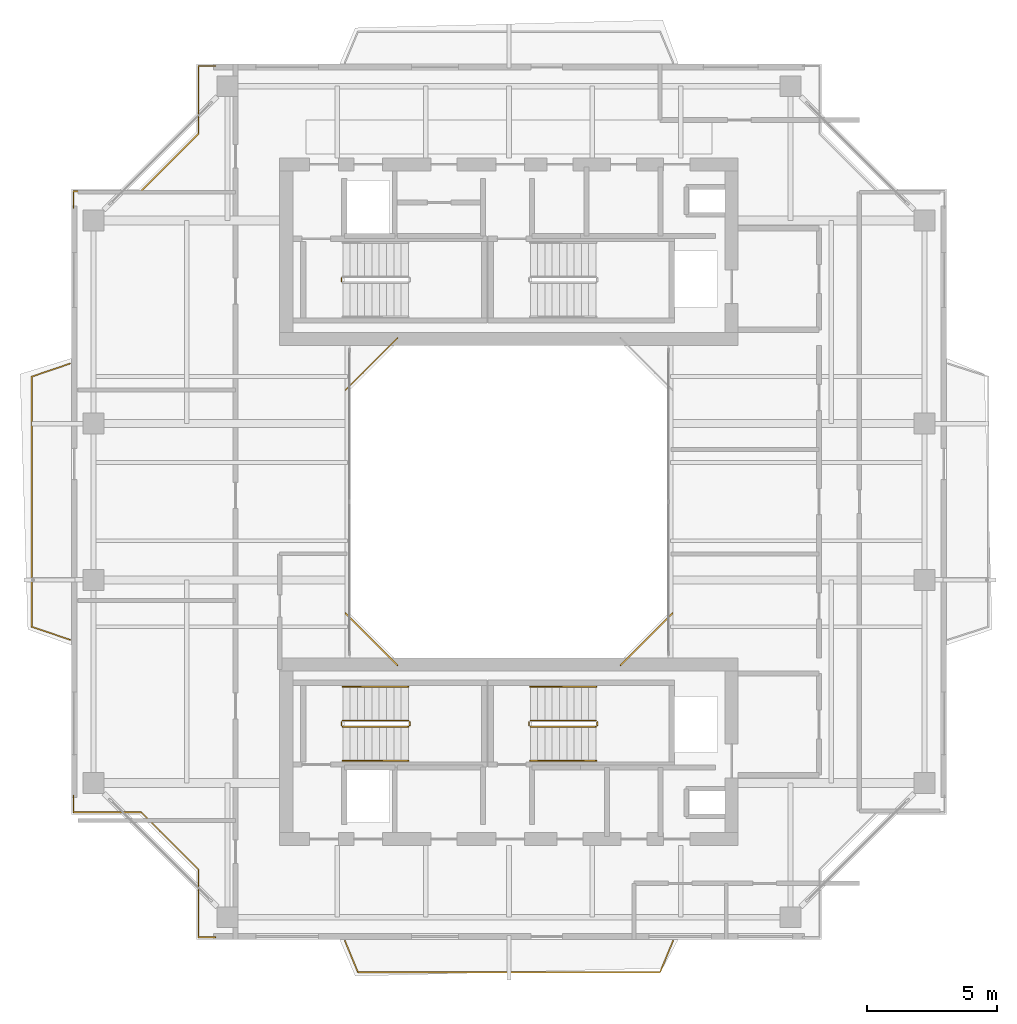
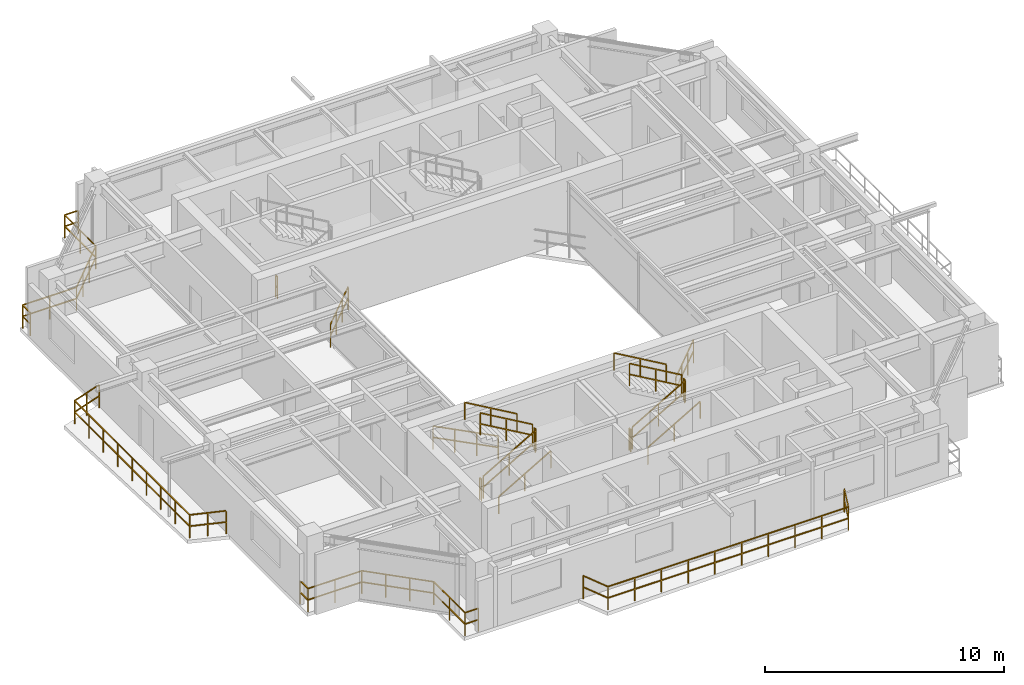
# One storey, part 14 of 15: 20 railings.
"""IFC4 building model written with IfcOpenShell, lengths in metres."""

from ifc_helpers import new_model, si_unit, direction, frame, origin, origin_2d, place, context, subcontext, project, spatial, rectangle, extrude, material, type_object, element, save


model = new_model("IFC4")

# Units and contexts
model_context = context("Model", 3, precision=1e-05, world=origin(), true_north=direction((0.0, 1.0)))
body_context = subcontext(model_context, "Body", "Model", "MODEL_VIEW")
ifc_project = project(units=[si_unit("LENGTHUNIT", "METRE"), si_unit("AREAUNIT", "SQUARE_METRE"), si_unit("VOLUMEUNIT", "CUBIC_METRE"), si_unit("PLANEANGLEUNIT", "RADIAN"), si_unit("MASSUNIT", "GRAM", prefix="KILO"), si_unit("THERMODYNAMICTEMPERATUREUNIT", "KELVIN"), si_unit("POWERUNIT", "WATT")], contexts=[model_context])

# Site, building, storey
site_placement = place(None, origin())
site = spatial("IfcSite", under=ifc_project, at=site_placement, CompositionType="ELEMENT")
building_placement = place(site_placement, origin())
building = spatial("IfcBuilding", under=site, at=building_placement, Name="Qiaomeng Ring Towers", CompositionType="ELEMENT")
storey_placement = place(building_placement, frame((0.0, 0.0, 219.75)))
storey = spatial("IfcBuildingStorey", under=building, at=storey_placement, Name="L64", CompositionType="ELEMENT", Elevation=219.75)

# Railings
ifc_material_1 = material(Name="Low-E pale-green laminated safety glass", Category="glass")
railing_type_1 = type_object("IfcRailingType", Name="ARC-RL-BAL1", PredefinedType="BALUSTRADE", material=ifc_material_1)
railing_1_placement = place(storey_placement, frame((23.280029296875, 16.719970703125, 0.0)))
element("IfcRailing", 1, at=railing_1_placement, inside=storey, type_object=railing_type_1, Name="L64 Balustrade ARC-BAL-WELL1-L64-1", PredefinedType="BALUSTRADE", context=body_context, shape_type="SweptSolid", body=[
    extrude(rectangle(XDim=0.048095703125, YDim=0.048095703125, at=origin_2d()), frame((0.0, 0.0, 1.17578125), z_axis=(0.707106781187, 0.707106781187, 0.0), x_axis=(-0.707106781187, 0.707106781187, 0.0)), (0.0, 0.0, 1.0), 2.828369140625),
    extrude(rectangle(XDim=0.048095703125, YDim=0.048095703125, at=origin_2d()), frame((0.0, 0.0, 0.60009765625), z_axis=(0.707106781187, 0.707106781187, 0.0), x_axis=(-0.707106781187, 0.707106781187, 0.0)), (0.0, 0.0, 1.0), 2.828369140625),
    extrude(rectangle(XDim=0.0419921875, YDim=0.0419921875, at=origin_2d()), origin(), (0.0, 0.0, 1.0), 1.15185546875),
    extrude(rectangle(XDim=0.0419921875, YDim=0.0419921875, at=origin_2d()), frame((0.666748046875, 0.666748046875, 0.0)), (0.0, 0.0, 1.0), 1.15185546875),
    extrude(rectangle(XDim=0.0419921875, YDim=0.0419921875, at=origin_2d()), frame((1.333251953125, 1.333251953125, 0.0)), (0.0, 0.0, 1.0), 1.15185546875),
    extrude(rectangle(XDim=0.0419921875, YDim=0.0419921875, at=origin_2d()), frame((2.0, 2.0, 0.0)), (0.0, 0.0, 1.0), 1.15185546875),
])
railing_2_placement = place(storey_placement, frame((14.719970703125, 29.280029296875, 0.0)))
element("IfcRailing", 2, at=railing_2_placement, inside=storey, type_object=railing_type_1, Name="L64 Balustrade ARC-BAL-WELL1-L64-3", PredefinedType="BALUSTRADE", context=body_context, shape_type="SweptSolid", body=[
    extrude(rectangle(XDim=0.048095703125, YDim=0.048095703125, at=origin_2d()), frame((0.0, 0.0, 1.17578125), z_axis=(-0.707106781187, -0.707106781187, 0.0), x_axis=(0.707106781187, -0.707106781187, 0.0)), (0.0, 0.0, 1.0), 2.828369140625),
    extrude(rectangle(XDim=0.048095703125, YDim=0.048095703125, at=origin_2d()), frame((0.0, 0.0, 0.60009765625), z_axis=(-0.707106781187, -0.707106781187, 0.0), x_axis=(0.707106781187, -0.707106781187, 0.0)), (0.0, 0.0, 1.0), 2.828369140625),
    extrude(rectangle(XDim=0.0419921875, YDim=0.0419921875, at=origin_2d()), origin(), (0.0, 0.0, 1.0), 1.15185546875),
    extrude(rectangle(XDim=0.0419921875, YDim=0.0419921875, at=origin_2d()), frame((-0.666748046875, -0.666748046875, 0.0)), (0.0, 0.0, 1.0), 1.15185546875),
    extrude(rectangle(XDim=0.0419921875, YDim=0.0419921875, at=origin_2d()), frame((-1.333251953125, -1.333251953125, 0.0)), (0.0, 0.0, 1.0), 1.15185546875),
    extrude(rectangle(XDim=0.0419921875, YDim=0.0419921875, at=origin_2d()), frame((-2.0, -2.0, 0.0)), (0.0, 0.0, 1.0), 1.15185546875),
])
railing_3_placement = place(storey_placement, frame((12.719970703125, 18.719970703125, 0.0)))
element("IfcRailing", 3, at=railing_3_placement, inside=storey, type_object=railing_type_1, Name="L64 Balustrade ARC-BAL-WELL1-L64-4", PredefinedType="BALUSTRADE", context=body_context, shape_type="SweptSolid", body=[
    extrude(rectangle(XDim=0.048095703125, YDim=0.048095703125, at=origin_2d()), frame((0.0, 0.0, 1.17578125), z_axis=(0.707106781187, -0.707106781187, 0.0), x_axis=(0.707106781187, 0.707106781187, 0.0)), (0.0, 0.0, 1.0), 2.828369140625),
    extrude(rectangle(XDim=0.048095703125, YDim=0.048095703125, at=origin_2d()), frame((0.0, 0.0, 0.60009765625), z_axis=(0.707106781187, -0.707106781187, 0.0), x_axis=(0.707106781187, 0.707106781187, 0.0)), (0.0, 0.0, 1.0), 2.828369140625),
    extrude(rectangle(XDim=0.0419921875, YDim=0.0419921875, at=origin_2d()), origin(), (0.0, 0.0, 1.0), 1.15185546875),
    extrude(rectangle(XDim=0.0419921875, YDim=0.0419921875, at=origin_2d()), frame((0.666748046875, -0.666748046875, 0.0)), (0.0, 0.0, 1.0), 1.15185546875),
    extrude(rectangle(XDim=0.0419921875, YDim=0.0419921875, at=origin_2d()), frame((1.333251953125, -1.333251953125, 0.0)), (0.0, 0.0, 1.0), 1.15185546875),
    extrude(rectangle(XDim=0.0419921875, YDim=0.0419921875, at=origin_2d()), frame((2.0, -2.0, 0.0)), (0.0, 0.0, 1.0), 1.15185546875),
])
railing_4_placement = place(storey_placement, frame((7.72998046875, 39.719970703125, 0.0)))
element("IfcRailing", 4, at=railing_4_placement, inside=storey, type_object=railing_type_1, Name="L64 Balustrade ARC-BAL-NOTCH1-L64-NW", PredefinedType="BALUSTRADE", context=body_context, shape_type="SweptSolid", body=[
    extrude(rectangle(XDim=0.048095703125, YDim=0.048095703125, at=origin_2d()), frame((0.0, 0.0, 1.17578125), z_axis=(-1.0, 0.0, 0.0), x_axis=(0.0, -1.0, 0.0)), (0.0, 0.0, 1.0), 0.64990234375),
    extrude(rectangle(XDim=0.048095703125, YDim=0.048095703125, at=origin_2d()), frame((0.0, 0.0, 0.60009765625), z_axis=(-1.0, 0.0, 0.0), x_axis=(0.0, -1.0, 0.0)), (0.0, 0.0, 1.0), 0.64990234375),
    extrude(rectangle(XDim=0.048095703125, YDim=0.048095703125, at=origin_2d()), frame((-0.64990234375, 0.0, 1.17578125), z_axis=(0.0, -1.0, 0.0), x_axis=(1.0, 0.0, 0.0)), (0.0, 0.0, 1.0), 2.599853515625),
    extrude(rectangle(XDim=0.048095703125, YDim=0.048095703125, at=origin_2d()), frame((-0.64990234375, 0.0, 0.60009765625), z_axis=(0.0, -1.0, 0.0), x_axis=(1.0, 0.0, 0.0)), (0.0, 0.0, 1.0), 2.599853515625),
    extrude(rectangle(XDim=0.048095703125, YDim=0.048095703125, at=origin_2d()), frame((-0.64990234375, -2.599853515625, 1.17578125), z_axis=(-0.707106781187, -0.707106781187, 0.0), x_axis=(0.707106781187, -0.707106781187, 0.0)), (0.0, 0.0, 1.0), 3.111572265625),
    extrude(rectangle(XDim=0.048095703125, YDim=0.048095703125, at=origin_2d()), frame((-0.64990234375, -2.599853515625, 0.60009765625), z_axis=(-0.707106781187, -0.707106781187, 0.0), x_axis=(0.707106781187, -0.707106781187, 0.0)), (0.0, 0.0, 1.0), 3.111572265625),
    extrude(rectangle(XDim=0.048095703125, YDim=0.048095703125, at=origin_2d()), frame((-2.85009765625, -4.800048828125, 1.17578125), z_axis=(-1.0, 0.0, 0.0), x_axis=(0.0, -1.0, 0.0)), (0.0, 0.0, 1.0), 2.599853515625),
    extrude(rectangle(XDim=0.048095703125, YDim=0.048095703125, at=origin_2d()), frame((-2.85009765625, -4.800048828125, 0.60009765625), z_axis=(-1.0, 0.0, 0.0), x_axis=(0.0, -1.0, 0.0)), (0.0, 0.0, 1.0), 2.599853515625),
    extrude(rectangle(XDim=0.048095703125, YDim=0.048095703125, at=origin_2d()), frame((-5.449951171875, -4.800048828125, 1.17578125), z_axis=(0.0, -1.0, 0.0), x_axis=(1.0, 0.0, 0.0)), (0.0, 0.0, 1.0), 0.64990234375),
    extrude(rectangle(XDim=0.048095703125, YDim=0.048095703125, at=origin_2d()), frame((-5.449951171875, -4.800048828125, 0.60009765625), z_axis=(0.0, -1.0, 0.0), x_axis=(1.0, 0.0, 0.0)), (0.0, 0.0, 1.0), 0.64990234375),
    extrude(rectangle(XDim=0.0419921875, YDim=0.0419921875, at=origin_2d()), origin(), (0.0, 0.0, 1.0), 1.15185546875),
    extrude(rectangle(XDim=0.0419921875, YDim=0.0419921875, at=origin_2d()), frame((-0.64990234375, 0.0, 0.0)), (0.0, 0.0, 1.0), 1.15185546875),
    extrude(rectangle(XDim=0.0419921875, YDim=0.0419921875, at=origin_2d()), frame((-0.64990234375, -1.2998046875, 0.0)), (0.0, 0.0, 1.0), 1.15185546875),
    extrude(rectangle(XDim=0.0419921875, YDim=0.0419921875, at=origin_2d()), frame((-0.64990234375, -2.599853515625, 0.0)), (0.0, 0.0, 1.0), 1.15185546875),
    extrude(rectangle(XDim=0.0419921875, YDim=0.0419921875, at=origin_2d()), frame((-1.38330078125, -3.333251953125, 0.0)), (0.0, 0.0, 1.0), 1.15185546875),
    extrude(rectangle(XDim=0.0419921875, YDim=0.0419921875, at=origin_2d()), frame((-2.11669921875, -4.066650390625, 0.0)), (0.0, 0.0, 1.0), 1.15185546875),
    extrude(rectangle(XDim=0.0419921875, YDim=0.0419921875, at=origin_2d()), frame((-2.85009765625, -4.800048828125, 0.0)), (0.0, 0.0, 1.0), 1.15185546875),
    extrude(rectangle(XDim=0.0419921875, YDim=0.0419921875, at=origin_2d()), frame((-4.14990234375, -4.800048828125, 0.0)), (0.0, 0.0, 1.0), 1.15185546875),
    extrude(rectangle(XDim=0.0419921875, YDim=0.0419921875, at=origin_2d()), frame((-5.449951171875, -4.800048828125, 0.0)), (0.0, 0.0, 1.0), 1.15185546875),
    extrude(rectangle(XDim=0.0419921875, YDim=0.0419921875, at=origin_2d()), frame((-5.449951171875, -5.449951171875, 0.0)), (0.0, 0.0, 1.0), 1.15185546875),
])
railing_5_placement = place(storey_placement, frame((2.280029296875, 11.72998046875, 0.0)))
element("IfcRailing", 5, at=railing_5_placement, inside=storey, type_object=railing_type_1, Name="L64 Balustrade ARC-BAL-NOTCH1-L64-SW", PredefinedType="BALUSTRADE", context=body_context, shape_type="SweptSolid", body=[
    extrude(rectangle(XDim=0.048095703125, YDim=0.048095703125, at=origin_2d()), frame((0.0, 0.0, 1.17578125), z_axis=(0.0, -1.0, 0.0), x_axis=(1.0, 0.0, 0.0)), (0.0, 0.0, 1.0), 0.64990234375),
    extrude(rectangle(XDim=0.048095703125, YDim=0.048095703125, at=origin_2d()), frame((0.0, 0.0, 0.60009765625), z_axis=(0.0, -1.0, 0.0), x_axis=(1.0, 0.0, 0.0)), (0.0, 0.0, 1.0), 0.64990234375),
    extrude(rectangle(XDim=0.048095703125, YDim=0.048095703125, at=origin_2d()), frame((0.0, -0.64990234375, 1.17578125), z_axis=(1.0, 0.0, 0.0), x_axis=(0.0, 1.0, 0.0)), (0.0, 0.0, 1.0), 2.599853515625),
    extrude(rectangle(XDim=0.048095703125, YDim=0.048095703125, at=origin_2d()), frame((0.0, -0.64990234375, 0.60009765625), z_axis=(1.0, 0.0, 0.0), x_axis=(0.0, 1.0, 0.0)), (0.0, 0.0, 1.0), 2.599853515625),
    extrude(rectangle(XDim=0.048095703125, YDim=0.048095703125, at=origin_2d()), frame((2.599853515625, -0.64990234375, 1.17578125), z_axis=(0.707106781187, -0.707106781187, 0.0), x_axis=(0.707106781187, 0.707106781187, 0.0)), (0.0, 0.0, 1.0), 3.111572265625),
    extrude(rectangle(XDim=0.048095703125, YDim=0.048095703125, at=origin_2d()), frame((2.599853515625, -0.64990234375, 0.60009765625), z_axis=(0.707106781187, -0.707106781187, 0.0), x_axis=(0.707106781187, 0.707106781187, 0.0)), (0.0, 0.0, 1.0), 3.111572265625),
    extrude(rectangle(XDim=0.048095703125, YDim=0.048095703125, at=origin_2d()), frame((4.800048828125, -2.85009765625, 1.17578125), z_axis=(0.0, -1.0, 0.0), x_axis=(1.0, 0.0, 0.0)), (0.0, 0.0, 1.0), 2.599853515625),
    extrude(rectangle(XDim=0.048095703125, YDim=0.048095703125, at=origin_2d()), frame((4.800048828125, -2.85009765625, 0.60009765625), z_axis=(0.0, -1.0, 0.0), x_axis=(1.0, 0.0, 0.0)), (0.0, 0.0, 1.0), 2.599853515625),
    extrude(rectangle(XDim=0.048095703125, YDim=0.048095703125, at=origin_2d()), frame((4.800048828125, -5.449951171875, 1.17578125), z_axis=(1.0, 0.0, 0.0), x_axis=(0.0, 1.0, 0.0)), (0.0, 0.0, 1.0), 0.64990234375),
    extrude(rectangle(XDim=0.048095703125, YDim=0.048095703125, at=origin_2d()), frame((4.800048828125, -5.449951171875, 0.60009765625), z_axis=(1.0, 0.0, 0.0), x_axis=(0.0, 1.0, 0.0)), (0.0, 0.0, 1.0), 0.64990234375),
    extrude(rectangle(XDim=0.0419921875, YDim=0.0419921875, at=origin_2d()), origin(), (0.0, 0.0, 1.0), 1.15185546875),
    extrude(rectangle(XDim=0.0419921875, YDim=0.0419921875, at=origin_2d()), frame((0.0, -0.64990234375, 0.0)), (0.0, 0.0, 1.0), 1.15185546875),
    extrude(rectangle(XDim=0.0419921875, YDim=0.0419921875, at=origin_2d()), frame((1.2998046875, -0.64990234375, 0.0)), (0.0, 0.0, 1.0), 1.15185546875),
    extrude(rectangle(XDim=0.0419921875, YDim=0.0419921875, at=origin_2d()), frame((2.599853515625, -0.64990234375, 0.0)), (0.0, 0.0, 1.0), 1.15185546875),
    extrude(rectangle(XDim=0.0419921875, YDim=0.0419921875, at=origin_2d()), frame((3.333251953125, -1.38330078125, 0.0)), (0.0, 0.0, 1.0), 1.15185546875),
    extrude(rectangle(XDim=0.0419921875, YDim=0.0419921875, at=origin_2d()), frame((4.066650390625, -2.11669921875, 0.0)), (0.0, 0.0, 1.0), 1.15185546875),
    extrude(rectangle(XDim=0.0419921875, YDim=0.0419921875, at=origin_2d()), frame((4.800048828125, -2.85009765625, 0.0)), (0.0, 0.0, 1.0), 1.15185546875),
    extrude(rectangle(XDim=0.0419921875, YDim=0.0419921875, at=origin_2d()), frame((4.800048828125, -4.14990234375, 0.0)), (0.0, 0.0, 1.0), 1.15185546875),
    extrude(rectangle(XDim=0.0419921875, YDim=0.0419921875, at=origin_2d()), frame((4.800048828125, -5.449951171875, 0.0)), (0.0, 0.0, 1.0), 1.15185546875),
    extrude(rectangle(XDim=0.0419921875, YDim=0.0419921875, at=origin_2d()), frame((5.449951171875, -5.449951171875, 0.0)), (0.0, 0.0, 1.0), 1.15185546875),
])
railing_6_placement = place(storey_placement, frame((12.699951171875, 6.14990234375, 0.0)))
element("IfcRailing", 6, at=railing_6_placement, inside=storey, type_object=railing_type_1, Name="L64 Balustrade ARC-BAL-L64-T1-S", PredefinedType="BALUSTRADE", context=body_context, shape_type="SweptSolid", body=[
    extrude(rectangle(XDim=0.048095703125, YDim=0.048095703125, at=origin_2d()), frame((0.0, 0.0, 1.17578125), z_axis=(0.381912525892, -0.924198475743, 0.0), x_axis=(0.924198475743, 0.381912525892, 0.0)), (0.0, 0.0, 1.0), 1.30908203125),
    extrude(rectangle(XDim=0.048095703125, YDim=0.048095703125, at=origin_2d()), frame((0.0, 0.0, 0.60009765625), z_axis=(0.381912525892, -0.924198475743, 0.0), x_axis=(0.924198475743, 0.381912525892, 0.0)), (0.0, 0.0, 1.0), 1.30908203125),
    extrude(rectangle(XDim=0.048095703125, YDim=0.048095703125, at=origin_2d()), frame((0.5, -1.2099609375, 1.17578125), z_axis=(1.0, 0.0, 0.0), x_axis=(0.0, 1.0, 0.0)), (0.0, 0.0, 1.0), 11.60009765625),
    extrude(rectangle(XDim=0.048095703125, YDim=0.048095703125, at=origin_2d()), frame((0.5, -1.2099609375, 0.60009765625), z_axis=(1.0, 0.0, 0.0), x_axis=(0.0, 1.0, 0.0)), (0.0, 0.0, 1.0), 11.60009765625),
    extrude(rectangle(XDim=0.048095703125, YDim=0.048095703125, at=origin_2d()), frame((12.10009765625, -1.2099609375, 1.17578125), z_axis=(0.381912525892, 0.924198475743, 0.0), x_axis=(-0.924198475743, 0.381912525892, 0.0)), (0.0, 0.0, 1.0), 1.30908203125),
    extrude(rectangle(XDim=0.048095703125, YDim=0.048095703125, at=origin_2d()), frame((12.10009765625, -1.2099609375, 0.60009765625), z_axis=(0.381912525892, 0.924198475743, 0.0), x_axis=(-0.924198475743, 0.381912525892, 0.0)), (0.0, 0.0, 1.0), 1.30908203125),
    extrude(rectangle(XDim=0.0419921875, YDim=0.0419921875, at=origin_2d()), origin(), (0.0, 0.0, 1.0), 1.15185546875),
    extrude(rectangle(XDim=0.0419921875, YDim=0.0419921875, at=origin_2d()), frame((0.5, -1.2099609375, 0.0)), (0.0, 0.0, 1.0), 1.15185546875),
    extrude(rectangle(XDim=0.0419921875, YDim=0.0419921875, at=origin_2d()), frame((1.788818359375, -1.2099609375, 0.0)), (0.0, 0.0, 1.0), 1.15185546875),
    extrude(rectangle(XDim=0.0419921875, YDim=0.0419921875, at=origin_2d()), frame((3.077880859375, -1.2099609375, 0.0)), (0.0, 0.0, 1.0), 1.15185546875),
    extrude(rectangle(XDim=0.0419921875, YDim=0.0419921875, at=origin_2d()), frame((4.36669921875, -1.2099609375, 0.0)), (0.0, 0.0, 1.0), 1.15185546875),
    extrude(rectangle(XDim=0.0419921875, YDim=0.0419921875, at=origin_2d()), frame((5.655517578125, -1.2099609375, 0.0)), (0.0, 0.0, 1.0), 1.15185546875),
    extrude(rectangle(XDim=0.0419921875, YDim=0.0419921875, at=origin_2d()), frame((6.944580078125, -1.2099609375, 0.0)), (0.0, 0.0, 1.0), 1.15185546875),
    extrude(rectangle(XDim=0.0419921875, YDim=0.0419921875, at=origin_2d()), frame((8.2333984375, -1.2099609375, 0.0)), (0.0, 0.0, 1.0), 1.15185546875),
    extrude(rectangle(XDim=0.0419921875, YDim=0.0419921875, at=origin_2d()), frame((9.522216796875, -1.2099609375, 0.0)), (0.0, 0.0, 1.0), 1.15185546875),
    extrude(rectangle(XDim=0.0419921875, YDim=0.0419921875, at=origin_2d()), frame((10.811279296875, -1.2099609375, 0.0)), (0.0, 0.0, 1.0), 1.15185546875),
    extrude(rectangle(XDim=0.0419921875, YDim=0.0419921875, at=origin_2d()), frame((12.10009765625, -1.2099609375, 0.0)), (0.0, 0.0, 1.0), 1.15185546875),
    extrude(rectangle(XDim=0.0419921875, YDim=0.0419921875, at=origin_2d()), frame((12.60009765625, 0.0, 0.0)), (0.0, 0.0, 1.0), 1.15185546875),
])
railing_7_placement = place(storey_placement, frame((2.14990234375, 17.699951171875, 0.0)))
element("IfcRailing", 7, at=railing_7_placement, inside=storey, type_object=railing_type_1, Name="L64 Balustrade ARC-BAL-L64-T1-W", PredefinedType="BALUSTRADE", context=body_context, shape_type="SweptSolid", body=[
    extrude(rectangle(XDim=0.048095703125, YDim=0.048095703125, at=origin_2d()), frame((0.0, 0.0, 1.17578125), z_axis=(-0.946731524739, 0.322023943309, 0.0), x_axis=(-0.322023943309, -0.946731524739, 0.0)), (0.0, 0.0, 1.0), 1.552734375),
    extrude(rectangle(XDim=0.048095703125, YDim=0.048095703125, at=origin_2d()), frame((0.0, 0.0, 0.60009765625), z_axis=(-0.946731524739, 0.322023943309, 0.0), x_axis=(-0.322023943309, -0.946731524739, 0.0)), (0.0, 0.0, 1.0), 1.552734375),
    extrude(rectangle(XDim=0.048095703125, YDim=0.048095703125, at=origin_2d()), frame((-1.469970703125, 0.5, 1.17578125), z_axis=(0.0, 1.0, 0.0), x_axis=(-1.0, 0.0, 0.0)), (0.0, 0.0, 1.0), 9.60009765625),
    extrude(rectangle(XDim=0.048095703125, YDim=0.048095703125, at=origin_2d()), frame((-1.469970703125, 0.5, 0.60009765625), z_axis=(0.0, 1.0, 0.0), x_axis=(-1.0, 0.0, 0.0)), (0.0, 0.0, 1.0), 9.60009765625),
    extrude(rectangle(XDim=0.048095703125, YDim=0.048095703125, at=origin_2d()), frame((-1.469970703125, 10.10009765625, 1.17578125), z_axis=(0.946731524739, 0.322023943309, 0.0), x_axis=(-0.322023943309, 0.946731524739, 0.0)), (0.0, 0.0, 1.0), 1.552734375),
    extrude(rectangle(XDim=0.048095703125, YDim=0.048095703125, at=origin_2d()), frame((-1.469970703125, 10.10009765625, 0.60009765625), z_axis=(0.946731524739, 0.322023943309, 0.0), x_axis=(-0.322023943309, 0.946731524739, 0.0)), (0.0, 0.0, 1.0), 1.552734375),
    extrude(rectangle(XDim=0.0419921875, YDim=0.0419921875, at=origin_2d()), origin(), (0.0, 0.0, 1.0), 1.15185546875),
    extrude(rectangle(XDim=0.0419921875, YDim=0.0419921875, at=origin_2d()), frame((-0.73486328125, 0.25, 0.0)), (0.0, 0.0, 1.0), 1.15185546875),
    extrude(rectangle(XDim=0.0419921875, YDim=0.0419921875, at=origin_2d()), frame((-1.469970703125, 0.5, 0.0)), (0.0, 0.0, 1.0), 1.15185546875),
    extrude(rectangle(XDim=0.0419921875, YDim=0.0419921875, at=origin_2d()), frame((-1.469970703125, 1.699951171875, 0.0)), (0.0, 0.0, 1.0), 1.15185546875),
    extrude(rectangle(XDim=0.0419921875, YDim=0.0419921875, at=origin_2d()), frame((-1.469970703125, 2.89990234375, 0.0)), (0.0, 0.0, 1.0), 1.15185546875),
    extrude(rectangle(XDim=0.0419921875, YDim=0.0419921875, at=origin_2d()), frame((-1.469970703125, 4.10009765625, 0.0)), (0.0, 0.0, 1.0), 1.15185546875),
    extrude(rectangle(XDim=0.0419921875, YDim=0.0419921875, at=origin_2d()), frame((-1.469970703125, 5.300048828125, 0.0)), (0.0, 0.0, 1.0), 1.15185546875),
    extrude(rectangle(XDim=0.0419921875, YDim=0.0419921875, at=origin_2d()), frame((-1.469970703125, 6.5, 0.0)), (0.0, 0.0, 1.0), 1.15185546875),
    extrude(rectangle(XDim=0.0419921875, YDim=0.0419921875, at=origin_2d()), frame((-1.469970703125, 7.7001953125, 0.0)), (0.0, 0.0, 1.0), 1.15185546875),
    extrude(rectangle(XDim=0.0419921875, YDim=0.0419921875, at=origin_2d()), frame((-1.469970703125, 8.900146484375, 0.0)), (0.0, 0.0, 1.0), 1.15185546875),
    extrude(rectangle(XDim=0.0419921875, YDim=0.0419921875, at=origin_2d()), frame((-1.469970703125, 10.10009765625, 0.0)), (0.0, 0.0, 1.0), 1.15185546875),
    extrude(rectangle(XDim=0.0419921875, YDim=0.0419921875, at=origin_2d()), frame((-0.73486328125, 10.35009765625, 0.0)), (0.0, 0.0, 1.0), 1.15185546875),
    extrude(rectangle(XDim=0.0419921875, YDim=0.0419921875, at=origin_2d()), frame((0.0, 10.60009765625, 0.0)), (0.0, 0.0, 1.0), 1.15185546875),
])
ifc_material_2 = material(Name="Galvanised steel", Category="steel")
railing_type_2 = type_object("IfcRailingType", Name="ARC-RL-GUARD", PredefinedType="GUARDRAIL", material=ifc_material_2)
railing_8_placement = place(storey_placement, frame((12.570068359375, 31.449951171875, 0.0)))
element("IfcRailing", 8, at=railing_8_placement, inside=storey, type_object=railing_type_2, Name="L64 ST1 stair guard 4", PredefinedType="GUARDRAIL", context=body_context, shape_type="SweptSolid", body=[
    extrude(rectangle(XDim=0.048095703125, YDim=0.048095703125, at=origin_2d()), frame((0.0, 0.0, 1.1259765625), z_axis=(0.0, 1.0, 0.0), x_axis=(-1.0, 0.0, 0.0)), (0.0, 0.0, 1.0), 0.14013671875),
    extrude(rectangle(XDim=0.048095703125, YDim=0.048095703125, at=origin_2d()), frame((0.0, 0.0, 0.574951171875), z_axis=(0.0, 1.0, 0.0), x_axis=(-1.0, 0.0, 0.0)), (0.0, 0.0, 1.0), 0.14013671875),
    extrude(rectangle(XDim=0.0419921875, YDim=0.0419921875, at=origin_2d()), origin(), (0.0, 0.0, 1.0), 1.101806640625),
    extrude(rectangle(XDim=0.0419921875, YDim=0.0419921875, at=origin_2d()), frame((0.0, 0.14013671875, 0.0)), (0.0, 0.0, 1.0), 1.101806640625),
])
railing_9_placement = place(storey_placement, frame((12.6201171875, 14.360107421875, 0.16259765625)))
element("IfcRailing", 9, at=railing_9_placement, inside=storey, type_object=railing_type_2, Name="L64 ST3 stair guard 1", PredefinedType="GUARDRAIL", context=body_context, shape_type="SweptSolid", body=[
    extrude(rectangle(XDim=0.048095703125, YDim=0.048095703125, at=origin_2d()), frame((0.0, 0.0, 1.1259765625), z_axis=(0.864892226395, 0.0, 0.501957604506), x_axis=(0.0, 1.0, 0.0)), (0.0, 0.0, 1.0), 2.913330078125),
    extrude(rectangle(XDim=0.048095703125, YDim=0.048095703125, at=origin_2d()), frame((0.0, 0.0, 0.574951171875), z_axis=(0.864892226395, 0.0, 0.501957604506), x_axis=(0.0, 1.0, 0.0)), (0.0, 0.0, 1.0), 2.913330078125),
    extrude(rectangle(XDim=0.0419921875, YDim=0.0419921875, at=origin_2d()), origin(), (0.0, 0.0, 1.0), 1.101806640625),
    extrude(rectangle(XDim=0.0419921875, YDim=0.0419921875, at=origin_2d()), frame((1.259765625, 0.0, 0.731201171875)), (0.0, 0.0, 1.0), 1.101806640625),
    extrude(rectangle(XDim=0.0419921875, YDim=0.0419921875, at=origin_2d()), frame((2.519775390625, 0.0, 1.46240234375)), (0.0, 0.0, 1.0), 1.101806640625),
])
railing_10_placement = place(storey_placement, frame((15.18994140625, 14.409912109375, 1.625)))
element("IfcRailing", 10, at=railing_10_placement, inside=storey, type_object=railing_type_2, Name="L64 ST3 stair guard 2", PredefinedType="GUARDRAIL", context=body_context, shape_type="SweptSolid", body=[
    extrude(rectangle(XDim=0.048095703125, YDim=0.048095703125, at=origin_2d()), frame((0.0, 0.0, 1.1259765625), z_axis=(0.0, 1.0, 0.0), x_axis=(-1.0, 0.0, 0.0)), (0.0, 0.0, 1.0), 0.14013671875),
    extrude(rectangle(XDim=0.048095703125, YDim=0.048095703125, at=origin_2d()), frame((0.0, 0.0, 0.574951171875), z_axis=(0.0, 1.0, 0.0), x_axis=(-1.0, 0.0, 0.0)), (0.0, 0.0, 1.0), 0.14013671875),
    extrude(rectangle(XDim=0.0419921875, YDim=0.0419921875, at=origin_2d()), origin(), (0.0, 0.0, 1.0), 1.101806640625),
    extrude(rectangle(XDim=0.0419921875, YDim=0.0419921875, at=origin_2d()), frame((0.0, 0.14013671875, 0.0)), (0.0, 0.0, 1.0), 1.101806640625),
])
railing_11_placement = place(storey_placement, frame((15.139892578125, 14.60009765625, 1.78759765625)))
element("IfcRailing", 11, at=railing_11_placement, inside=storey, type_object=railing_type_2, Name="L64 ST3 stair guard 3", PredefinedType="GUARDRAIL", context=body_context, shape_type="SweptSolid", body=[
    extrude(rectangle(XDim=0.048095703125, YDim=0.048095703125, at=origin_2d()), frame((0.0, 0.0, 1.1259765625), z_axis=(-0.864892226395, 0.0, 0.501957604506), x_axis=(0.0, -1.0, 0.0)), (0.0, 0.0, 1.0), 2.913330078125),
    extrude(rectangle(XDim=0.048095703125, YDim=0.048095703125, at=origin_2d()), frame((0.0, 0.0, 0.574951171875), z_axis=(-0.864892226395, 0.0, 0.501957604506), x_axis=(0.0, -1.0, 0.0)), (0.0, 0.0, 1.0), 2.913330078125),
    extrude(rectangle(XDim=0.0419921875, YDim=0.0419921875, at=origin_2d()), origin(), (0.0, 0.0, 1.0), 1.101806640625),
    extrude(rectangle(XDim=0.0419921875, YDim=0.0419921875, at=origin_2d()), frame((-1.259765625, 0.0, 0.731201171875)), (0.0, 0.0, 1.0), 1.101806640625),
    extrude(rectangle(XDim=0.0419921875, YDim=0.0419921875, at=origin_2d()), frame((-2.519775390625, 0.0, 1.46240234375)), (0.0, 0.0, 1.0), 1.101806640625),
])
railing_12_placement = place(storey_placement, frame((12.570068359375, 14.409912109375, 0.0)))
element("IfcRailing", 12, at=railing_12_placement, inside=storey, type_object=railing_type_2, Name="L64 ST3 stair guard 4", PredefinedType="GUARDRAIL", context=body_context, shape_type="SweptSolid", body=[
    extrude(rectangle(XDim=0.048095703125, YDim=0.048095703125, at=origin_2d()), frame((0.0, 0.0, 1.1259765625), z_axis=(0.0, 1.0, 0.0), x_axis=(-1.0, 0.0, 0.0)), (0.0, 0.0, 1.0), 0.14013671875),
    extrude(rectangle(XDim=0.048095703125, YDim=0.048095703125, at=origin_2d()), frame((0.0, 0.0, 0.574951171875), z_axis=(0.0, 1.0, 0.0), x_axis=(-1.0, 0.0, 0.0)), (0.0, 0.0, 1.0), 0.14013671875),
    extrude(rectangle(XDim=0.0419921875, YDim=0.0419921875, at=origin_2d()), origin(), (0.0, 0.0, 1.0), 1.101806640625),
    extrude(rectangle(XDim=0.0419921875, YDim=0.0419921875, at=origin_2d()), frame((0.0, 0.14013671875, 0.0)), (0.0, 0.0, 1.0), 1.101806640625),
])
railing_13_placement = place(storey_placement, frame((19.820068359375, 14.360107421875, 0.16259765625)))
element("IfcRailing", 13, at=railing_13_placement, inside=storey, type_object=railing_type_2, Name="L64 ST4 stair guard 1", PredefinedType="GUARDRAIL", context=body_context, shape_type="SweptSolid", body=[
    extrude(rectangle(XDim=0.048095703125, YDim=0.048095703125, at=origin_2d()), frame((0.0, 0.0, 1.1259765625), z_axis=(0.864913338283, 0.0, 0.50192122615), x_axis=(0.0, 1.0, 0.0)), (0.0, 0.0, 1.0), 2.91357421875),
    extrude(rectangle(XDim=0.048095703125, YDim=0.048095703125, at=origin_2d()), frame((0.0, 0.0, 0.574951171875), z_axis=(0.864913338283, 0.0, 0.50192122615), x_axis=(0.0, 1.0, 0.0)), (0.0, 0.0, 1.0), 2.91357421875),
    extrude(rectangle(XDim=0.0419921875, YDim=0.0419921875, at=origin_2d()), origin(), (0.0, 0.0, 1.0), 1.101806640625),
    extrude(rectangle(XDim=0.0419921875, YDim=0.0419921875, at=origin_2d()), frame((1.260009765625, 0.0, 0.731201171875)), (0.0, 0.0, 1.0), 1.101806640625),
    extrude(rectangle(XDim=0.0419921875, YDim=0.0419921875, at=origin_2d()), frame((2.52001953125, 0.0, 1.46240234375)), (0.0, 0.0, 1.0), 1.101806640625),
])
railing_14_placement = place(storey_placement, frame((22.389892578125, 14.409912109375, 1.625)))
element("IfcRailing", 14, at=railing_14_placement, inside=storey, type_object=railing_type_2, Name="L64 ST4 stair guard 2", PredefinedType="GUARDRAIL", context=body_context, shape_type="SweptSolid", body=[
    extrude(rectangle(XDim=0.048095703125, YDim=0.048095703125, at=origin_2d()), frame((0.0, 0.0, 1.1259765625), z_axis=(0.0, 1.0, 0.0), x_axis=(-1.0, 0.0, 0.0)), (0.0, 0.0, 1.0), 0.14013671875),
    extrude(rectangle(XDim=0.048095703125, YDim=0.048095703125, at=origin_2d()), frame((0.0, 0.0, 0.574951171875), z_axis=(0.0, 1.0, 0.0), x_axis=(-1.0, 0.0, 0.0)), (0.0, 0.0, 1.0), 0.14013671875),
    extrude(rectangle(XDim=0.0419921875, YDim=0.0419921875, at=origin_2d()), origin(), (0.0, 0.0, 1.0), 1.101806640625),
    extrude(rectangle(XDim=0.0419921875, YDim=0.0419921875, at=origin_2d()), frame((0.0, 0.14013671875, 0.0)), (0.0, 0.0, 1.0), 1.101806640625),
])
railing_15_placement = place(storey_placement, frame((22.340087890625, 14.60009765625, 1.78759765625)))
element("IfcRailing", 15, at=railing_15_placement, inside=storey, type_object=railing_type_2, Name="L64 ST4 stair guard 3", PredefinedType="GUARDRAIL", context=body_context, shape_type="SweptSolid", body=[
    extrude(rectangle(XDim=0.048095703125, YDim=0.048095703125, at=origin_2d()), frame((0.0, 0.0, 1.1259765625), z_axis=(-0.864913338283, 0.0, 0.50192122615), x_axis=(0.0, -1.0, 0.0)), (0.0, 0.0, 1.0), 2.91357421875),
    extrude(rectangle(XDim=0.048095703125, YDim=0.048095703125, at=origin_2d()), frame((0.0, 0.0, 0.574951171875), z_axis=(-0.864913338283, 0.0, 0.50192122615), x_axis=(0.0, -1.0, 0.0)), (0.0, 0.0, 1.0), 2.91357421875),
    extrude(rectangle(XDim=0.0419921875, YDim=0.0419921875, at=origin_2d()), origin(), (0.0, 0.0, 1.0), 1.101806640625),
    extrude(rectangle(XDim=0.0419921875, YDim=0.0419921875, at=origin_2d()), frame((-1.260009765625, 0.0, 0.731201171875)), (0.0, 0.0, 1.0), 1.101806640625),
    extrude(rectangle(XDim=0.0419921875, YDim=0.0419921875, at=origin_2d()), frame((-2.52001953125, 0.0, 1.46240234375)), (0.0, 0.0, 1.0), 1.101806640625),
])
railing_16_placement = place(storey_placement, frame((19.77001953125, 14.409912109375, 0.0)))
element("IfcRailing", 16, at=railing_16_placement, inside=storey, type_object=railing_type_2, Name="L64 ST4 stair guard 4", PredefinedType="GUARDRAIL", context=body_context, shape_type="SweptSolid", body=[
    extrude(rectangle(XDim=0.048095703125, YDim=0.048095703125, at=origin_2d()), frame((0.0, 0.0, 1.1259765625), z_axis=(0.0, 1.0, 0.0), x_axis=(-1.0, 0.0, 0.0)), (0.0, 0.0, 1.0), 0.14013671875),
    extrude(rectangle(XDim=0.048095703125, YDim=0.048095703125, at=origin_2d()), frame((0.0, 0.0, 0.574951171875), z_axis=(0.0, 1.0, 0.0), x_axis=(-1.0, 0.0, 0.0)), (0.0, 0.0, 1.0), 0.14013671875),
    extrude(rectangle(XDim=0.0419921875, YDim=0.0419921875, at=origin_2d()), origin(), (0.0, 0.0, 1.0), 1.101806640625),
    extrude(rectangle(XDim=0.0419921875, YDim=0.0419921875, at=origin_2d()), frame((0.0, 0.14013671875, 0.0)), (0.0, 0.0, 1.0), 1.101806640625),
])
ifc_material_3 = material(Name="Stainless steel 316", Category="steel")
railing_type_3 = type_object("IfcRailingType", Name="ARC-RL-HAND", PredefinedType="HANDRAIL", material=ifc_material_3)
railing_17_placement = place(storey_placement, frame((12.6201171875, 13.06005859375, 0.16259765625)))
element("IfcRailing", 17, at=railing_17_placement, inside=storey, type_object=railing_type_3, Name="L64 ST3 stair handrail 1", PredefinedType="HANDRAIL", context=body_context, shape_type="SweptSolid", body=[
    extrude(rectangle(XDim=0.048095703125, YDim=0.048095703125, at=origin_2d()), frame((0.0, 0.0, 0.8759765625), z_axis=(0.864892226395, 0.0, 0.501957604506), x_axis=(0.0, 1.0, 0.0)), (0.0, 0.0, 1.0), 2.913330078125),
    extrude(rectangle(XDim=0.0419921875, YDim=0.0419921875, at=origin_2d()), origin(), (0.0, 0.0, 1.0), 0.851806640625),
    extrude(rectangle(XDim=0.0419921875, YDim=0.0419921875, at=origin_2d()), frame((1.259765625, 0.0, 0.731201171875)), (0.0, 0.0, 1.0), 0.851806640625),
    extrude(rectangle(XDim=0.0419921875, YDim=0.0419921875, at=origin_2d()), frame((2.519775390625, 0.0, 1.46240234375)), (0.0, 0.0, 1.0), 0.851806640625),
])
railing_18_placement = place(storey_placement, frame((15.139892578125, 15.89990234375, 1.78759765625)))
element("IfcRailing", 18, at=railing_18_placement, inside=storey, type_object=railing_type_3, Name="L64 ST3 stair handrail 2", PredefinedType="HANDRAIL", context=body_context, shape_type="SweptSolid", body=[
    extrude(rectangle(XDim=0.048095703125, YDim=0.048095703125, at=origin_2d()), frame((0.0, 0.0, 0.8759765625), z_axis=(-0.864892226395, 0.0, 0.501957604506), x_axis=(0.0, -1.0, 0.0)), (0.0, 0.0, 1.0), 2.913330078125),
    extrude(rectangle(XDim=0.0419921875, YDim=0.0419921875, at=origin_2d()), origin(), (0.0, 0.0, 1.0), 0.851806640625),
    extrude(rectangle(XDim=0.0419921875, YDim=0.0419921875, at=origin_2d()), frame((-1.259765625, 0.0, 0.731201171875)), (0.0, 0.0, 1.0), 0.851806640625),
    extrude(rectangle(XDim=0.0419921875, YDim=0.0419921875, at=origin_2d()), frame((-2.519775390625, 0.0, 1.46240234375)), (0.0, 0.0, 1.0), 0.851806640625),
])
railing_19_placement = place(storey_placement, frame((19.820068359375, 13.06005859375, 0.16259765625)))
element("IfcRailing", 19, at=railing_19_placement, inside=storey, type_object=railing_type_3, Name="L64 ST4 stair handrail 1", PredefinedType="HANDRAIL", context=body_context, shape_type="SweptSolid", body=[
    extrude(rectangle(XDim=0.048095703125, YDim=0.048095703125, at=origin_2d()), frame((0.0, 0.0, 0.8759765625), z_axis=(0.864913338283, 0.0, 0.50192122615), x_axis=(0.0, 1.0, 0.0)), (0.0, 0.0, 1.0), 2.91357421875),
    extrude(rectangle(XDim=0.0419921875, YDim=0.0419921875, at=origin_2d()), origin(), (0.0, 0.0, 1.0), 0.851806640625),
    extrude(rectangle(XDim=0.0419921875, YDim=0.0419921875, at=origin_2d()), frame((1.260009765625, 0.0, 0.731201171875)), (0.0, 0.0, 1.0), 0.851806640625),
    extrude(rectangle(XDim=0.0419921875, YDim=0.0419921875, at=origin_2d()), frame((2.52001953125, 0.0, 1.46240234375)), (0.0, 0.0, 1.0), 0.851806640625),
])
railing_20_placement = place(storey_placement, frame((22.340087890625, 15.89990234375, 1.78759765625)))
element("IfcRailing", 20, at=railing_20_placement, inside=storey, type_object=railing_type_3, Name="L64 ST4 stair handrail 2", PredefinedType="HANDRAIL", context=body_context, shape_type="SweptSolid", body=[
    extrude(rectangle(XDim=0.048095703125, YDim=0.048095703125, at=origin_2d()), frame((0.0, 0.0, 0.8759765625), z_axis=(-0.864913338283, 0.0, 0.50192122615), x_axis=(0.0, -1.0, 0.0)), (0.0, 0.0, 1.0), 2.91357421875),
    extrude(rectangle(XDim=0.0419921875, YDim=0.0419921875, at=origin_2d()), origin(), (0.0, 0.0, 1.0), 0.851806640625),
    extrude(rectangle(XDim=0.0419921875, YDim=0.0419921875, at=origin_2d()), frame((-1.260009765625, 0.0, 0.731201171875)), (0.0, 0.0, 1.0), 0.851806640625),
    extrude(rectangle(XDim=0.0419921875, YDim=0.0419921875, at=origin_2d()), frame((-2.52001953125, 0.0, 1.46240234375)), (0.0, 0.0, 1.0), 0.851806640625),
])

save(model, "model.ifc")
